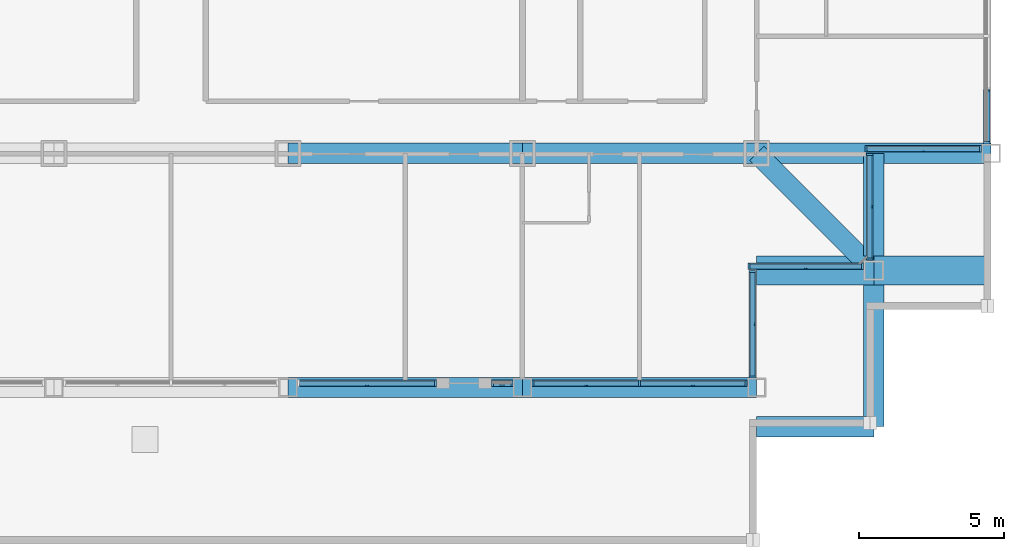
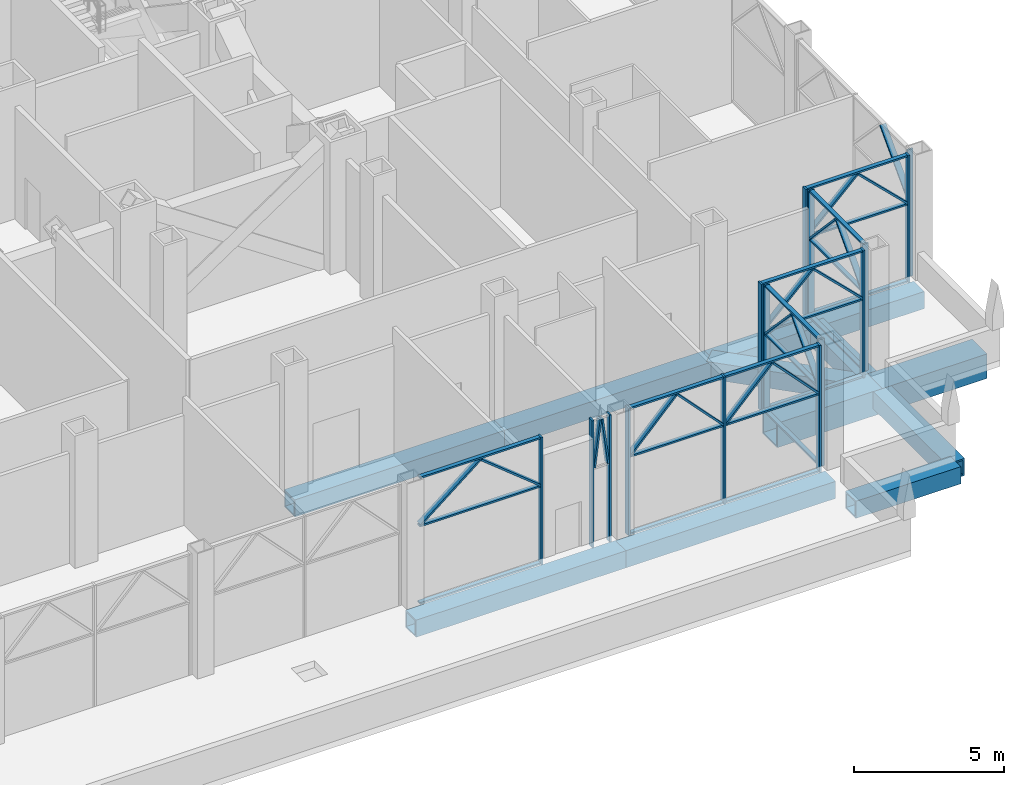
# One storey, part 4 of 26: 53 members, 11 beams, 8 elements without a shape of their own.
"""IFC4 building model written with IfcOpenShell, lengths in metres."""

from ifc_helpers import new_model, si_unit, direction, frame, origin, origin_2d, place, context, subcontext, project, spatial, rectangle, hollow_rectangle, extrude, material, material_profile, profile_set, type_object, element, aggregate, save


model = new_model("IFC4")

# Units and contexts
model_context = context("Model", 3, precision=1e-05, world=origin(), true_north=direction((0.0, 1.0)))
body_context = subcontext(model_context, "Body", "Model", "MODEL_VIEW")
ifc_project = project(units=[si_unit("LENGTHUNIT", "METRE"), si_unit("AREAUNIT", "SQUARE_METRE"), si_unit("VOLUMEUNIT", "CUBIC_METRE"), si_unit("PLANEANGLEUNIT", "RADIAN"), si_unit("MASSUNIT", "GRAM", prefix="KILO")], contexts=[model_context])

# Site, building, storey
site_placement = place(None, origin())
site = spatial("IfcSite", under=ifc_project, at=site_placement, CompositionType="ELEMENT")
building_placement = place(site_placement, origin())
building = spatial("IfcBuilding", under=site, at=building_placement, Name="Kopane Lantern Tower", CompositionType="ELEMENT")
storey_placement = place(building_placement, frame((0.0, 0.0, 98.0)))
storey = spatial("IfcBuildingStorey", under=building, at=storey_placement, Name="L24", CompositionType="ELEMENT", Elevation=98.0)

# Beams
ifc_material_1 = material(Name="Steel S355JR", Category="steel")
ifc_material_profile_1 = material_profile(ifc_material_1, hollow_rectangle(XDim=0.699951171875, YDim=0.699951171875, WallThickness=0.06005859375, at=origin_2d()), Name="BOX 700x700x60")
ifc_profile_set_1 = profile_set([ifc_material_profile_1], Name="Steel S355JR")
beam_type_1 = type_object("IfcBeamType", Name="CORNER TIE BEAM BOX 700x700x60", PredefinedType="BEAM", material=ifc_profile_set_1)
beam_1_placement = place(storey_placement, frame((52.29638671875, 9.8037109375, -0.60009765625), z_axis=(-0.707106781187, 0.707106781187, 0.0), x_axis=(-0.707106781187, -0.707106781187, 0.0)))
element("IfcBeam", 1, at=beam_1_placement, inside=storey, type_object=beam_type_1, Name="Corner Tie Beam L24", PredefinedType="BEAM", context=body_context, shape_type="SweptSolid", body=[
    extrude(hollow_rectangle(XDim=0.699951171875, YDim=0.699951171875, WallThickness=0.06005859375, at=origin_2d()), origin(), (0.0, 0.0, 1.0), 5.227294921875),
])
ifc_material_2 = material(Name="Steel S355JR", Category="steel")
ifc_material_profile_2 = material_profile(ifc_material_2, hollow_rectangle(XDim=0.699951171875, YDim=0.699951171875, WallThickness=0.06005859375, at=origin_2d()), Name="BOX 700x700x60")
ifc_profile_set_2 = profile_set([ifc_material_profile_2], Name="Steel S355JR")
beam_type_2 = type_object("IfcBeamType", Name="EDGE BEAM BOX 700x700x60", PredefinedType="BEAM", material=ifc_profile_set_2)
beam_2_placement = place(storey_placement, frame((52.64990234375, 4.050048828125, -0.60009765625), z_axis=(-1.0, 0.0, 0.0), x_axis=(0.0, -1.0, 0.0)))
element("IfcBeam", 2, at=beam_2_placement, inside=storey, type_object=beam_type_2, Name="Edge Beam L24", PredefinedType="BEAM", context=body_context, shape_type="SweptSolid", body=[
    extrude(hollow_rectangle(XDim=0.699951171875, YDim=0.699951171875, WallThickness=0.06005859375, at=origin_2d()), origin(), (0.0, 0.0, 1.0), 4.0498046875),
])
beam_3_placement = place(storey_placement, frame((52.64990234375, 9.949951171875, -0.60009765625), z_axis=(0.0, 1.0, 0.0), x_axis=(-1.0, 0.0, 0.0)))
element("IfcBeam", 3, at=beam_3_placement, inside=storey, type_object=beam_type_2, Name="Edge Beam L24", PredefinedType="BEAM", context=body_context, shape_type="SweptSolid", body=[
    extrude(hollow_rectangle(XDim=0.699951171875, YDim=0.699951171875, WallThickness=0.06005859375, at=origin_2d()), origin(), (0.0, 0.0, 1.0), 3.550048828125),
])
ifc_material_3 = material(Name="Steel S355JR", Category="steel")
ifc_material_profile_3 = material_profile(ifc_material_3, hollow_rectangle(XDim=0.699951171875, YDim=0.699951171875, WallThickness=0.06005859375, at=origin_2d()), Name="BOX 700x700x60")
ifc_profile_set_3 = profile_set([ifc_material_profile_3], Name="Steel S355JR")
beam_type_3 = type_object("IfcBeamType", Name="GIRDER BOX 700x700x60", PredefinedType="BEAM", material=ifc_profile_set_3)
for number, where, z_axis, x_axis, name in (
    (4, (32.39990234375, 5.39990234375, -0.60009765625), (1.0, 0.0, 0.0), (0.0, 1.0, 0.0), "Girder L24"),
    (5, (32.39990234375, 13.5, -0.60009765625), (1.0, 0.0, 0.0), (0.0, 1.0, 0.0), "Girder L24"),
    (6, (40.5, 5.39990234375, -0.60009765625), (1.0, 0.0, 0.0), (0.0, 1.0, 0.0), "Girder L24"),
    (7, (40.5, 13.5, -0.60009765625), (1.0, 0.0, 0.0), (0.0, 1.0, 0.0), "Girder L24"),
):
    element("IfcBeam", number, at=place(storey_placement, frame(where, z_axis=z_axis, x_axis=x_axis)), inside=storey, type_object=beam_type_3, Name=name, PredefinedType="BEAM", context=body_context, shape_type="SweptSolid", body=[
        extrude(hollow_rectangle(XDim=0.699951171875, YDim=0.699951171875, WallThickness=0.06005859375, at=origin_2d()), origin(), (0.0, 0.0, 1.0), 8.10009765625),
    ])
beam_4_placement = place(storey_placement, frame((48.60009765625, 13.5, -0.60009765625), z_axis=(1.0, 0.0, 0.0), x_axis=(0.0, 1.0, 0.0)))
element("IfcBeam", 8, at=beam_4_placement, inside=storey, type_object=beam_type_3, Name="Girder L24", PredefinedType="BEAM", context=body_context, shape_type="SweptSolid", body=[
    extrude(hollow_rectangle(XDim=0.699951171875, YDim=0.699951171875, WallThickness=0.06005859375, at=origin_2d()), origin(), (0.0, 0.0, 1.0), 8.099853515625),
])
beam_5_placement = place(storey_placement, frame((52.64990234375, 4.050048828125, -0.60009765625), z_axis=(0.0, 1.0, 0.0), x_axis=(-1.0, 0.0, 0.0)))
element("IfcBeam", 9, at=beam_5_placement, inside=storey, type_object=beam_type_3, Name="Girder L24", PredefinedType="BEAM", context=body_context, shape_type="SweptSolid", body=[
    extrude(hollow_rectangle(XDim=0.699951171875, YDim=0.699951171875, WallThickness=0.06005859375, at=origin_2d()), origin(), (0.0, 0.0, 1.0), 4.89990234375),
])

# Curtain wall, members
ifc_material_4 = material(Name="Aluminium and clear glass", Category="aluminium")
curtain_wall_type = type_object("IfcCurtainWallType", Name="CURTAIN WALL CW3 SKY LOBBY", PredefinedType="USERDEFINED", material=ifc_material_4)
curtain_wall_1_placement = place(storey_placement, origin())
curtain_wall_1 = element("IfcCurtainWall", 10, at=curtain_wall_1_placement, inside=storey, type_object=curtain_wall_type, Name="Curtain wall CW3 S L24", ObjectType="CURTAIN WALL", PredefinedType="USERDEFINED")
ifc_material_5 = material(Name="Aluminium", Category="aluminium")
ifc_material_profile_4 = material_profile(ifc_material_5, rectangle(XDim=0.070068359375, YDim=0.22509765625, at=origin_2d()), Name="AL 70x225")
ifc_profile_set_4 = profile_set([ifc_material_profile_4], Name="Aluminium")
member_type_1 = type_object("IfcMemberType", Name="MULLION CW3-M 70x225", PredefinedType="MULLION", material=ifc_profile_set_4)
member_1_placement = place(storey_placement, frame((37.489990234375, 5.550048828125, 0.0), z_axis=(0.0, 0.0, 1.0), x_axis=(1.0, 0.0, 0.0)))
member_1 = element("IfcMember", 11, at=member_1_placement, type_object=member_type_1, Name="CW3 mullion 2", PredefinedType="MULLION", context=body_context, shape_type="SweptSolid", body=[
    extrude(rectangle(XDim=0.070068359375, YDim=0.22509765625, at=origin_2d()), origin(), (0.0, 0.0, 1.0), 5.18994140625),
])
member_2_placement = place(storey_placement, frame((32.822021484375, 5.550048828125, 3.252197265625), z_axis=(0.778565225086, 0.0, 0.627563694207), x_axis=(-0.627563694207, 0.0, 0.778565225086)))
member_2 = element("IfcMember", 12, at=member_2_placement, type_object=member_type_1, Name="CW3 lancet mullion 1L", PredefinedType="MULLION", context=body_context, shape_type="SweptSolid", body=[
    extrude(rectangle(XDim=0.070068359375, YDim=0.22509765625, at=origin_2d()), origin(), (0.0, 0.0, 1.0), 2.932861328125),
])
member_3_placement = place(storey_placement, frame((37.43310546875, 5.550048828125, 3.252197265625), z_axis=(-0.778598005729, 0.0, 0.62752302386), x_axis=(0.62752302386, 0.0, 0.778598005729)))
member_3 = element("IfcMember", 13, at=member_3_placement, type_object=member_type_1, Name="CW3 lancet mullion 1R", PredefinedType="MULLION", context=body_context, shape_type="SweptSolid", body=[
    extrude(rectangle(XDim=0.070068359375, YDim=0.22509765625, at=origin_2d()), origin(), (0.0, 0.0, 1.0), 2.93310546875),
])

curtain_wall_2_placement = place(storey_placement, origin())
curtain_wall_2 = element("IfcCurtainWall", 14, at=curtain_wall_2_placement, inside=storey, type_object=curtain_wall_type, Name="Curtain wall CW3 S L24", ObjectType="CURTAIN WALL", PredefinedType="USERDEFINED")
member_4_placement = place(storey_placement, frame((39.4599609375, 5.550048828125, 0.0), z_axis=(0.0, 0.0, 1.0), x_axis=(1.0, 0.0, 0.0)))
member_4 = element("IfcMember", 15, at=member_4_placement, type_object=member_type_1, Name="CW3 mullion 1", PredefinedType="MULLION", context=body_context, shape_type="SweptSolid", body=[
    extrude(rectangle(XDim=0.070068359375, YDim=0.22509765625, at=origin_2d()), origin(), (0.0, 0.0, 1.0), 5.18994140625),
])
member_5_placement = place(storey_placement, frame((40.135009765625, 5.550048828125, 0.0), z_axis=(0.0, 0.0, 1.0), x_axis=(1.0, 0.0, 0.0)))
member_5 = element("IfcMember", 16, at=member_5_placement, type_object=member_type_1, Name="CW3 mullion 2", PredefinedType="MULLION", context=body_context, shape_type="SweptSolid", body=[
    extrude(rectangle(XDim=0.070068359375, YDim=0.22509765625, at=origin_2d()), origin(), (0.0, 0.0, 1.0), 5.18994140625),
])
member_6_placement = place(storey_placement, frame((39.52978515625, 5.550048828125, 3.229248046875), z_axis=(0.122532819549, 0.0, 0.9924644619), x_axis=(-0.9924644619, 0.0, 0.122532819549)))
member_6 = element("IfcMember", 17, at=member_6_placement, type_object=member_type_1, Name="CW3 lancet mullion 1L", PredefinedType="MULLION", context=body_context, shape_type="SweptSolid", body=[
    extrude(rectangle(XDim=0.070068359375, YDim=0.22509765625, at=origin_2d()), origin(), (0.0, 0.0, 1.0), 1.90087890625),
])
member_7_placement = place(storey_placement, frame((40.065185546875, 5.550048828125, 3.229248046875), z_axis=(-0.122532819549, 0.0, 0.9924644619), x_axis=(0.9924644619, 0.0, 0.122532819549)))
member_7 = element("IfcMember", 18, at=member_7_placement, type_object=member_type_1, Name="CW3 lancet mullion 1R", PredefinedType="MULLION", context=body_context, shape_type="SweptSolid", body=[
    extrude(rectangle(XDim=0.070068359375, YDim=0.22509765625, at=origin_2d()), origin(), (0.0, 0.0, 1.0), 1.90087890625),
])
aggregate(curtain_wall_2, [member_4, member_5, member_6, member_7])

curtain_wall_3_placement = place(storey_placement, origin())
curtain_wall_3 = element("IfcCurtainWall", 19, at=curtain_wall_3_placement, inside=storey, type_object=curtain_wall_type, Name="Curtain wall CW3 S L24", ObjectType="CURTAIN WALL", PredefinedType="USERDEFINED")
member_8_placement = place(storey_placement, frame((40.864990234375, 5.550048828125, 0.0), z_axis=(0.0, 0.0, 1.0), x_axis=(1.0, 0.0, 0.0)))
member_8 = element("IfcMember", 20, at=member_8_placement, type_object=member_type_1, Name="CW3 mullion 1", PredefinedType="MULLION", context=body_context, shape_type="SweptSolid", body=[
    extrude(rectangle(XDim=0.070068359375, YDim=0.22509765625, at=origin_2d()), origin(), (0.0, 0.0, 1.0), 5.18994140625),
])
member_9_placement = place(storey_placement, frame((44.550048828125, 5.550048828125, 0.0), z_axis=(0.0, 0.0, 1.0), x_axis=(1.0, 0.0, 0.0)))
member_9 = element("IfcMember", 21, at=member_9_placement, type_object=member_type_1, Name="CW3 mullion 2", PredefinedType="MULLION", context=body_context, shape_type="SweptSolid", body=[
    extrude(rectangle(XDim=0.070068359375, YDim=0.22509765625, at=origin_2d()), origin(), (0.0, 0.0, 1.0), 5.18994140625),
])
member_10_placement = place(storey_placement, frame((48.235107421875, 5.550048828125, 0.0), z_axis=(0.0, 0.0, 1.0), x_axis=(1.0, 0.0, 0.0)))
member_10 = element("IfcMember", 22, at=member_10_placement, type_object=member_type_1, Name="CW3 mullion 3", PredefinedType="MULLION", context=body_context, shape_type="SweptSolid", body=[
    extrude(rectangle(XDim=0.070068359375, YDim=0.22509765625, at=origin_2d()), origin(), (0.0, 0.0, 1.0), 5.18994140625),
])
member_11_placement = place(storey_placement, frame((40.92529296875, 5.550048828125, 3.2490234375), z_axis=(0.689214992379, 0.0, 0.724556895129), x_axis=(-0.724556895129, 0.0, 0.689214992379)))
member_11 = element("IfcMember", 23, at=member_11_placement, type_object=member_type_1, Name="CW3 lancet mullion 1L", PredefinedType="MULLION", context=body_context, shape_type="SweptSolid", body=[
    extrude(rectangle(XDim=0.070068359375, YDim=0.22509765625, at=origin_2d()), origin(), (0.0, 0.0, 1.0), 2.549072265625),
])
member_12_placement = place(storey_placement, frame((44.489501953125, 5.550048828125, 3.2490234375), z_axis=(-0.689164705863, 0.0, 0.724604725483), x_axis=(0.724604725483, 0.0, 0.689164705863)))
member_12 = element("IfcMember", 24, at=member_12_placement, type_object=member_type_1, Name="CW3 lancet mullion 1R", PredefinedType="MULLION", context=body_context, shape_type="SweptSolid", body=[
    extrude(rectangle(XDim=0.070068359375, YDim=0.22509765625, at=origin_2d()), origin(), (0.0, 0.0, 1.0), 2.548828125),
])
member_13_placement = place(storey_placement, frame((44.6103515625, 5.550048828125, 3.2490234375), z_axis=(0.689214992379, 0.0, 0.724556895129), x_axis=(-0.724556895129, 0.0, 0.689214992379)))
member_13 = element("IfcMember", 25, at=member_13_placement, type_object=member_type_1, Name="CW3 lancet mullion 2L", PredefinedType="MULLION", context=body_context, shape_type="SweptSolid", body=[
    extrude(rectangle(XDim=0.070068359375, YDim=0.22509765625, at=origin_2d()), origin(), (0.0, 0.0, 1.0), 2.549072265625),
])
member_14_placement = place(storey_placement, frame((48.174560546875, 5.550048828125, 3.2490234375), z_axis=(-0.689164705863, 0.0, 0.724604725483), x_axis=(0.724604725483, 0.0, 0.689164705863)))
member_14 = element("IfcMember", 26, at=member_14_placement, type_object=member_type_1, Name="CW3 lancet mullion 2R", PredefinedType="MULLION", context=body_context, shape_type="SweptSolid", body=[
    extrude(rectangle(XDim=0.070068359375, YDim=0.22509765625, at=origin_2d()), origin(), (0.0, 0.0, 1.0), 2.548828125),
])

curtain_wall_4_placement = place(storey_placement, origin())
curtain_wall_4 = element("IfcCurtainWall", 27, at=curtain_wall_4_placement, inside=storey, type_object=curtain_wall_type, Name="Curtain wall CW3 E L24", ObjectType="CURTAIN WALL", PredefinedType="USERDEFINED")
member_15_placement = place(storey_placement, frame((48.449951171875, 5.764892578125, 0.0), z_axis=(0.0, 0.0, 1.0), x_axis=(0.0, 1.0, 0.0)))
member_15 = element("IfcMember", 28, at=member_15_placement, type_object=member_type_1, Name="CW3 mullion 1", PredefinedType="MULLION", context=body_context, shape_type="SweptSolid", body=[
    extrude(rectangle(XDim=0.070068359375, YDim=0.22509765625, at=origin_2d()), origin(), (0.0, 0.0, 1.0), 5.18994140625),
])
member_16_placement = place(storey_placement, frame((48.449951171875, 9.4150390625, 0.0), z_axis=(0.0, 0.0, 1.0), x_axis=(0.0, 1.0, 0.0)))
member_16 = element("IfcMember", 29, at=member_16_placement, type_object=member_type_1, Name="CW3 mullion 2", PredefinedType="MULLION", context=body_context, shape_type="SweptSolid", body=[
    extrude(rectangle(XDim=0.070068359375, YDim=0.22509765625, at=origin_2d()), origin(), (0.0, 0.0, 1.0), 5.18994140625),
])
member_17_placement = place(storey_placement, frame((48.449951171875, 5.825439453125, 3.2490234375), z_axis=(0.0, 0.685517784981, 0.728055881423), x_axis=(0.0, -0.728055881423, 0.685517784981)))
member_17 = element("IfcMember", 30, at=member_17_placement, type_object=member_type_1, Name="CW3 lancet mullion 1L", PredefinedType="MULLION", context=body_context, shape_type="SweptSolid", body=[
    extrude(rectangle(XDim=0.070068359375, YDim=0.22509765625, at=origin_2d()), origin(), (0.0, 0.0, 1.0), 2.536865234375),
])
member_18_placement = place(storey_placement, frame((48.449951171875, 9.3544921875, 3.2490234375), z_axis=(0.0, -0.685517784981, 0.728055881423), x_axis=(0.0, 0.728055881423, 0.685517784981)))
member_18 = element("IfcMember", 31, at=member_18_placement, type_object=member_type_1, Name="CW3 lancet mullion 1R", PredefinedType="MULLION", context=body_context, shape_type="SweptSolid", body=[
    extrude(rectangle(XDim=0.070068359375, YDim=0.22509765625, at=origin_2d()), origin(), (0.0, 0.0, 1.0), 2.536865234375),
])

curtain_wall_5_placement = place(storey_placement, origin())
curtain_wall_5 = element("IfcCurtainWall", 32, at=curtain_wall_5_placement, inside=storey, type_object=curtain_wall_type, Name="Curtain wall CW3 S L24", ObjectType="CURTAIN WALL", PredefinedType="USERDEFINED")
member_19_placement = place(storey_placement, frame((48.3349609375, 9.60009765625, 0.0), z_axis=(0.0, 0.0, 1.0), x_axis=(1.0, 0.0, 0.0)))
member_19 = element("IfcMember", 33, at=member_19_placement, type_object=member_type_1, Name="CW3 mullion 1", PredefinedType="MULLION", context=body_context, shape_type="SweptSolid", body=[
    extrude(rectangle(XDim=0.070068359375, YDim=0.22509765625, at=origin_2d()), origin(), (0.0, 0.0, 1.0), 5.18994140625),
])
member_20_placement = place(storey_placement, frame((52.260009765625, 9.60009765625, 0.0), z_axis=(0.0, 0.0, 1.0), x_axis=(1.0, 0.0, 0.0)))
member_20 = element("IfcMember", 34, at=member_20_placement, type_object=member_type_1, Name="CW3 mullion 2", PredefinedType="MULLION", context=body_context, shape_type="SweptSolid", body=[
    extrude(rectangle(XDim=0.070068359375, YDim=0.22509765625, at=origin_2d()), origin(), (0.0, 0.0, 1.0), 5.18994140625),
])
member_21_placement = place(storey_placement, frame((48.39453125, 9.60009765625, 3.25), z_axis=(0.713429949389, 0.0, 0.700726556736), x_axis=(-0.700726556736, 0.0, 0.713429949389)))
member_21 = element("IfcMember", 35, at=member_21_placement, type_object=member_type_1, Name="CW3 lancet mullion 1L", PredefinedType="MULLION", context=body_context, shape_type="SweptSolid", body=[
    extrude(rectangle(XDim=0.070068359375, YDim=0.22509765625, at=origin_2d()), origin(), (0.0, 0.0, 1.0), 2.633056640625),
])
member_22_placement = place(storey_placement, frame((52.200439453125, 9.60009765625, 3.25), z_axis=(-0.713429949389, 0.0, 0.700726556736), x_axis=(0.700726556736, 0.0, 0.713429949389)))
member_22 = element("IfcMember", 36, at=member_22_placement, type_object=member_type_1, Name="CW3 lancet mullion 1R", PredefinedType="MULLION", context=body_context, shape_type="SweptSolid", body=[
    extrude(rectangle(XDim=0.070068359375, YDim=0.22509765625, at=origin_2d()), origin(), (0.0, 0.0, 1.0), 2.633056640625),
])

curtain_wall_6_placement = place(storey_placement, origin())
curtain_wall_6 = element("IfcCurtainWall", 37, at=curtain_wall_6_placement, inside=storey, type_object=curtain_wall_type, Name="Curtain wall CW3 E L24", ObjectType="CURTAIN WALL", PredefinedType="USERDEFINED")
member_23_placement = place(storey_placement, frame((52.5, 9.840087890625, 0.0), z_axis=(0.0, 0.0, 1.0), x_axis=(0.0, 1.0, 0.0)))
member_23 = element("IfcMember", 38, at=member_23_placement, type_object=member_type_1, Name="CW3 mullion 1", PredefinedType="MULLION", context=body_context, shape_type="SweptSolid", body=[
    extrude(rectangle(XDim=0.070068359375, YDim=0.22509765625, at=origin_2d()), origin(), (0.0, 0.0, 1.0), 5.18994140625),
])
member_24_placement = place(storey_placement, frame((52.5, 13.465087890625, 0.0), z_axis=(0.0, 0.0, 1.0), x_axis=(0.0, 1.0, 0.0)))
member_24 = element("IfcMember", 39, at=member_24_placement, type_object=member_type_1, Name="CW3 mullion 2", PredefinedType="MULLION", context=body_context, shape_type="SweptSolid", body=[
    extrude(rectangle(XDim=0.070068359375, YDim=0.22509765625, at=origin_2d()), origin(), (0.0, 0.0, 1.0), 5.18994140625),
])
member_25_placement = place(storey_placement, frame((52.5, 9.900634765625, 3.248779296875), z_axis=(0.0, 0.682755043512, 0.73064735034), x_axis=(0.0, -0.73064735034, 0.682755043512)))
member_25 = element("IfcMember", 40, at=member_25_placement, type_object=member_type_1, Name="CW3 lancet mullion 1L", PredefinedType="MULLION", context=body_context, shape_type="SweptSolid", body=[
    extrude(rectangle(XDim=0.070068359375, YDim=0.22509765625, at=origin_2d()), origin(), (0.0, 0.0, 1.0), 2.528564453125),
])
member_26_placement = place(storey_placement, frame((52.5, 13.404296875, 3.248779296875), z_axis=(0.0, -0.682755043512, 0.73064735034), x_axis=(0.0, 0.73064735034, 0.682755043512)))
member_26 = element("IfcMember", 41, at=member_26_placement, type_object=member_type_1, Name="CW3 lancet mullion 1R", PredefinedType="MULLION", context=body_context, shape_type="SweptSolid", body=[
    extrude(rectangle(XDim=0.070068359375, YDim=0.22509765625, at=origin_2d()), origin(), (0.0, 0.0, 1.0), 2.528564453125),
])

curtain_wall_7_placement = place(storey_placement, origin())
curtain_wall_7 = element("IfcCurtainWall", 42, at=curtain_wall_7_placement, inside=storey, type_object=curtain_wall_type, Name="Curtain wall CW3 S L24", ObjectType="CURTAIN WALL", PredefinedType="USERDEFINED")
member_27_placement = place(storey_placement, frame((52.385009765625, 13.64990234375, 0.0), z_axis=(0.0, 0.0, 1.0), x_axis=(1.0, 0.0, 0.0)))
member_27 = element("IfcMember", 43, at=member_27_placement, type_object=member_type_1, Name="CW3 mullion 1", PredefinedType="MULLION", context=body_context, shape_type="SweptSolid", body=[
    extrude(rectangle(XDim=0.070068359375, YDim=0.22509765625, at=origin_2d()), origin(), (0.0, 0.0, 1.0), 5.18994140625),
])
member_28_placement = place(storey_placement, frame((56.3349609375, 13.64990234375, 0.0), z_axis=(0.0, 0.0, 1.0), x_axis=(1.0, 0.0, 0.0)))
member_28 = element("IfcMember", 44, at=member_28_placement, type_object=member_type_1, Name="CW3 mullion 2", PredefinedType="MULLION", context=body_context, shape_type="SweptSolid", body=[
    extrude(rectangle(XDim=0.070068359375, YDim=0.22509765625, at=origin_2d()), origin(), (0.0, 0.0, 1.0), 5.18994140625),
])
member_29_placement = place(storey_placement, frame((52.4443359375, 13.64990234375, 3.25), z_axis=(0.715830386059, 0.0, 0.698274200006), x_axis=(-0.698274200006, 0.0, 0.715830386059)))
member_29 = element("IfcMember", 45, at=member_29_placement, type_object=member_type_1, Name="CW3 lancet mullion 1L", PredefinedType="MULLION", context=body_context, shape_type="SweptSolid", body=[
    extrude(rectangle(XDim=0.070068359375, YDim=0.22509765625, at=origin_2d()), origin(), (0.0, 0.0, 1.0), 2.64208984375),
])
member_30_placement = place(storey_placement, frame((56.275634765625, 13.64990234375, 3.25), z_axis=(-0.715785328086, 0.0, 0.698320387857), x_axis=(0.698320387857, 0.0, 0.715785328086)))
member_30 = element("IfcMember", 46, at=member_30_placement, type_object=member_type_1, Name="CW3 lancet mullion 1R", PredefinedType="MULLION", context=body_context, shape_type="SweptSolid", body=[
    extrude(rectangle(XDim=0.070068359375, YDim=0.22509765625, at=origin_2d()), origin(), (0.0, 0.0, 1.0), 2.64208984375),
])

curtain_wall_8_placement = place(storey_placement, origin())
curtain_wall_8 = element("IfcCurtainWall", 47, at=curtain_wall_8_placement, inside=storey, type_object=curtain_wall_type, Name="Curtain wall CW3 E L24", ObjectType="CURTAIN WALL", PredefinedType="USERDEFINED")
member_31_placement = place(storey_placement, frame((56.550048828125, 13.864990234375, 0.0), z_axis=(0.0, 0.0, 1.0), x_axis=(0.0, 1.0, 0.0)))
member_31 = element("IfcMember", 48, at=member_31_placement, type_object=member_type_1, Name="CW3 mullion 1", PredefinedType="MULLION", context=body_context, shape_type="SweptSolid", body=[
    extrude(rectangle(XDim=0.070068359375, YDim=0.22509765625, at=origin_2d()), origin(), (0.0, 0.0, 1.0), 5.18994140625),
])
member_32_placement = place(storey_placement, frame((56.550048828125, 13.92529296875, 3.2490234375), z_axis=(0.0, 0.689214992379, 0.724556895129), x_axis=(0.0, -0.724556895129, 0.689214992379)))
member_32 = element("IfcMember", 49, at=member_32_placement, type_object=member_type_1, Name="CW3 lancet mullion 1L", PredefinedType="MULLION", context=body_context, shape_type="SweptSolid", body=[
    extrude(rectangle(XDim=0.070068359375, YDim=0.22509765625, at=origin_2d()), origin(), (0.0, 0.0, 1.0), 2.549072265625),
])
aggregate(curtain_wall_8, [member_31, member_32])

# Beams
ifc_material_6 = material(Name="Steel S355JR", Category="steel")
ifc_material_profile_5 = material_profile(ifc_material_6, hollow_rectangle(XDim=1.0, YDim=1.0, WallThickness=0.06005859375, at=origin_2d()), Name="BOX 1000x1000x60")
ifc_profile_set_5 = profile_set([ifc_material_profile_5], Name="Steel S355JR")
beam_type_4 = type_object("IfcBeamType", Name="TRANSFER BEAM BOX 1000x1000x60", PredefinedType="BEAM", material=ifc_profile_set_5)
beam_6_placement = place(storey_placement, frame((48.60009765625, 9.449951171875, -0.75), z_axis=(1.0, 0.0, 0.0), x_axis=(0.0, 1.0, 0.0)))
element("IfcBeam", 50, at=beam_6_placement, inside=storey, type_object=beam_type_4, Name="Transfer Beam L24", PredefinedType="BEAM", context=body_context, shape_type="SweptSolid", body=[
    extrude(hollow_rectangle(XDim=1.0, YDim=1.0, WallThickness=0.06005859375, at=origin_2d()), origin(), (0.0, 0.0, 1.0), 4.0498046875),
])
beam_7_placement = place(storey_placement, frame((52.64990234375, 9.449951171875, -0.75), z_axis=(1.0, 0.0, 0.0), x_axis=(0.0, 1.0, 0.0)))
element("IfcBeam", 51, at=beam_7_placement, inside=storey, type_object=beam_type_4, Name="Transfer Beam L24", PredefinedType="BEAM", context=body_context, shape_type="SweptSolid", body=[
    extrude(hollow_rectangle(XDim=1.0, YDim=1.0, WallThickness=0.06005859375, at=origin_2d()), origin(), (0.0, 0.0, 1.0), 4.050048828125),
])

# Member
ifc_material_7 = material(Name="Aluminium", Category="aluminium")
ifc_material_profile_6 = material_profile(ifc_material_7, rectangle(XDim=0.159912109375, YDim=0.070068359375, at=origin_2d()), Name="AL 160x70")
ifc_profile_set_6 = profile_set([ifc_material_profile_6], Name="Aluminium")
member_type_2 = type_object("IfcMemberType", Name="TRANSOM CW3-T 70x160", PredefinedType="USERDEFINED", material=ifc_profile_set_6)
member_33_placement = place(storey_placement, frame((32.800048828125, 5.550048828125, 0.034912109375), z_axis=(1.0, 0.0, 0.0), x_axis=(0.0, 1.0, 0.0)))
member_33 = element("IfcMember", 52, at=member_33_placement, type_object=member_type_2, Name="CW3 transom 1.1", ObjectType="TRANSOM", PredefinedType="USERDEFINED", context=body_context, shape_type="SweptSolid", body=[
    extrude(rectangle(XDim=0.159912109375, YDim=0.070068359375, at=origin_2d()), origin(), (0.0, 0.0, 1.0), 4.655029296875),
])

member_34_placement = place(storey_placement, frame((32.800048828125, 5.550048828125, 3.18994140625), z_axis=(1.0, 0.0, 0.0), x_axis=(0.0, 1.0, 0.0)))
member_34 = element("IfcMember", 53, at=member_34_placement, type_object=member_type_2, Name="CW3 transom 1.2", ObjectType="TRANSOM", PredefinedType="USERDEFINED", context=body_context, shape_type="SweptSolid", body=[
    extrude(rectangle(XDim=0.159912109375, YDim=0.070068359375, at=origin_2d()), origin(), (0.0, 0.0, 1.0), 4.655029296875),
])

member_35_placement = place(storey_placement, frame((32.800048828125, 5.550048828125, 5.155029296875), z_axis=(1.0, 0.0, 0.0), x_axis=(0.0, 1.0, 0.0)))
member_35 = element("IfcMember", 54, at=member_35_placement, type_object=member_type_2, Name="CW3 transom 1.3", ObjectType="TRANSOM", PredefinedType="USERDEFINED", context=body_context, shape_type="SweptSolid", body=[
    extrude(rectangle(XDim=0.159912109375, YDim=0.070068359375, at=origin_2d()), origin(), (0.0, 0.0, 1.0), 4.655029296875),
])

aggregate(curtain_wall_1, [member_1, member_33, member_34, member_35, member_2, member_3])

member_36_placement = place(storey_placement, frame((40.89990234375, 5.550048828125, 0.034912109375), z_axis=(1.0, 0.0, 0.0), x_axis=(0.0, 1.0, 0.0)))
member_36 = element("IfcMember", 55, at=member_36_placement, type_object=member_type_2, Name="CW3 transom 1.1", ObjectType="TRANSOM", PredefinedType="USERDEFINED", context=body_context, shape_type="SweptSolid", body=[
    extrude(rectangle(XDim=0.159912109375, YDim=0.070068359375, at=origin_2d()), origin(), (0.0, 0.0, 1.0), 3.614990234375),
])

member_37_placement = place(storey_placement, frame((40.89990234375, 5.550048828125, 3.18994140625), z_axis=(1.0, 0.0, 0.0), x_axis=(0.0, 1.0, 0.0)))
member_37 = element("IfcMember", 56, at=member_37_placement, type_object=member_type_2, Name="CW3 transom 1.2", ObjectType="TRANSOM", PredefinedType="USERDEFINED", context=body_context, shape_type="SweptSolid", body=[
    extrude(rectangle(XDim=0.159912109375, YDim=0.070068359375, at=origin_2d()), origin(), (0.0, 0.0, 1.0), 3.614990234375),
])

member_38_placement = place(storey_placement, frame((40.89990234375, 5.550048828125, 5.155029296875), z_axis=(1.0, 0.0, 0.0), x_axis=(0.0, 1.0, 0.0)))
member_38 = element("IfcMember", 57, at=member_38_placement, type_object=member_type_2, Name="CW3 transom 1.3", ObjectType="TRANSOM", PredefinedType="USERDEFINED", context=body_context, shape_type="SweptSolid", body=[
    extrude(rectangle(XDim=0.159912109375, YDim=0.070068359375, at=origin_2d()), origin(), (0.0, 0.0, 1.0), 3.614990234375),
])

member_39_placement = place(storey_placement, frame((44.5849609375, 5.550048828125, 0.034912109375), z_axis=(1.0, 0.0, 0.0), x_axis=(0.0, 1.0, 0.0)))
member_39 = element("IfcMember", 58, at=member_39_placement, type_object=member_type_2, Name="CW3 transom 2.1", ObjectType="TRANSOM", PredefinedType="USERDEFINED", context=body_context, shape_type="SweptSolid", body=[
    extrude(rectangle(XDim=0.159912109375, YDim=0.070068359375, at=origin_2d()), origin(), (0.0, 0.0, 1.0), 3.614990234375),
])

member_40_placement = place(storey_placement, frame((44.5849609375, 5.550048828125, 3.18994140625), z_axis=(1.0, 0.0, 0.0), x_axis=(0.0, 1.0, 0.0)))
member_40 = element("IfcMember", 59, at=member_40_placement, type_object=member_type_2, Name="CW3 transom 2.2", ObjectType="TRANSOM", PredefinedType="USERDEFINED", context=body_context, shape_type="SweptSolid", body=[
    extrude(rectangle(XDim=0.159912109375, YDim=0.070068359375, at=origin_2d()), origin(), (0.0, 0.0, 1.0), 3.614990234375),
])

member_41_placement = place(storey_placement, frame((44.5849609375, 5.550048828125, 5.155029296875), z_axis=(1.0, 0.0, 0.0), x_axis=(0.0, 1.0, 0.0)))
member_41 = element("IfcMember", 60, at=member_41_placement, type_object=member_type_2, Name="CW3 transom 2.3", ObjectType="TRANSOM", PredefinedType="USERDEFINED", context=body_context, shape_type="SweptSolid", body=[
    extrude(rectangle(XDim=0.159912109375, YDim=0.070068359375, at=origin_2d()), origin(), (0.0, 0.0, 1.0), 3.614990234375),
])

aggregate(curtain_wall_3, [member_8, member_9, member_10, member_36, member_37, member_38, member_39, member_40, member_41, member_11, member_12, member_13, member_14])

member_42_placement = place(storey_placement, frame((48.449951171875, 5.800048828125, 0.034912109375), z_axis=(0.0, 1.0, 0.0), x_axis=(-1.0, 0.0, 0.0)))
member_42 = element("IfcMember", 61, at=member_42_placement, type_object=member_type_2, Name="CW3 transom 1.1", ObjectType="TRANSOM", PredefinedType="USERDEFINED", context=body_context, shape_type="SweptSolid", body=[
    extrude(rectangle(XDim=0.159912109375, YDim=0.070068359375, at=origin_2d()), origin(), (0.0, 0.0, 1.0), 3.579833984375),
])

member_43_placement = place(storey_placement, frame((48.449951171875, 5.800048828125, 3.18994140625), z_axis=(0.0, 1.0, 0.0), x_axis=(-1.0, 0.0, 0.0)))
member_43 = element("IfcMember", 62, at=member_43_placement, type_object=member_type_2, Name="CW3 transom 1.2", ObjectType="TRANSOM", PredefinedType="USERDEFINED", context=body_context, shape_type="SweptSolid", body=[
    extrude(rectangle(XDim=0.159912109375, YDim=0.070068359375, at=origin_2d()), origin(), (0.0, 0.0, 1.0), 3.579833984375),
])

member_44_placement = place(storey_placement, frame((48.449951171875, 5.800048828125, 5.155029296875), z_axis=(0.0, 1.0, 0.0), x_axis=(-1.0, 0.0, 0.0)))
member_44 = element("IfcMember", 63, at=member_44_placement, type_object=member_type_2, Name="CW3 transom 1.3", ObjectType="TRANSOM", PredefinedType="USERDEFINED", context=body_context, shape_type="SweptSolid", body=[
    extrude(rectangle(XDim=0.159912109375, YDim=0.070068359375, at=origin_2d()), origin(), (0.0, 0.0, 1.0), 3.579833984375),
])

aggregate(curtain_wall_4, [member_15, member_16, member_42, member_43, member_44, member_17, member_18])

member_45_placement = place(storey_placement, frame((48.3701171875, 9.60009765625, 0.034912109375), z_axis=(1.0, 0.0, 0.0), x_axis=(0.0, 1.0, 0.0)))
member_45 = element("IfcMember", 64, at=member_45_placement, type_object=member_type_2, Name="CW3 transom 1.1", ObjectType="TRANSOM", PredefinedType="USERDEFINED", context=body_context, shape_type="SweptSolid", body=[
    extrude(rectangle(XDim=0.159912109375, YDim=0.070068359375, at=origin_2d()), origin(), (0.0, 0.0, 1.0), 3.85498046875),
])

member_46_placement = place(storey_placement, frame((48.3701171875, 9.60009765625, 3.18994140625), z_axis=(1.0, 0.0, 0.0), x_axis=(0.0, 1.0, 0.0)))
member_46 = element("IfcMember", 65, at=member_46_placement, type_object=member_type_2, Name="CW3 transom 1.2", ObjectType="TRANSOM", PredefinedType="USERDEFINED", context=body_context, shape_type="SweptSolid", body=[
    extrude(rectangle(XDim=0.159912109375, YDim=0.070068359375, at=origin_2d()), origin(), (0.0, 0.0, 1.0), 3.85498046875),
])

member_47_placement = place(storey_placement, frame((48.3701171875, 9.60009765625, 5.155029296875), z_axis=(1.0, 0.0, 0.0), x_axis=(0.0, 1.0, 0.0)))
member_47 = element("IfcMember", 66, at=member_47_placement, type_object=member_type_2, Name="CW3 transom 1.3", ObjectType="TRANSOM", PredefinedType="USERDEFINED", context=body_context, shape_type="SweptSolid", body=[
    extrude(rectangle(XDim=0.159912109375, YDim=0.070068359375, at=origin_2d()), origin(), (0.0, 0.0, 1.0), 3.85498046875),
])

aggregate(curtain_wall_5, [member_19, member_20, member_45, member_46, member_47, member_21, member_22])

member_48_placement = place(storey_placement, frame((52.5, 9.875, 0.034912109375), z_axis=(0.0, 1.0, 0.0), x_axis=(-1.0, 0.0, 0.0)))
member_48 = element("IfcMember", 67, at=member_48_placement, type_object=member_type_2, Name="CW3 transom 1.1", ObjectType="TRANSOM", PredefinedType="USERDEFINED", context=body_context, shape_type="SweptSolid", body=[
    extrude(rectangle(XDim=0.159912109375, YDim=0.070068359375, at=origin_2d()), origin(), (0.0, 0.0, 1.0), 3.554931640625),
])

member_49_placement = place(storey_placement, frame((52.5, 9.875, 3.18994140625), z_axis=(0.0, 1.0, 0.0), x_axis=(-1.0, 0.0, 0.0)))
member_49 = element("IfcMember", 68, at=member_49_placement, type_object=member_type_2, Name="CW3 transom 1.2", ObjectType="TRANSOM", PredefinedType="USERDEFINED", context=body_context, shape_type="SweptSolid", body=[
    extrude(rectangle(XDim=0.159912109375, YDim=0.070068359375, at=origin_2d()), origin(), (0.0, 0.0, 1.0), 3.554931640625),
])

member_50_placement = place(storey_placement, frame((52.5, 9.875, 5.155029296875), z_axis=(0.0, 1.0, 0.0), x_axis=(-1.0, 0.0, 0.0)))
member_50 = element("IfcMember", 69, at=member_50_placement, type_object=member_type_2, Name="CW3 transom 1.3", ObjectType="TRANSOM", PredefinedType="USERDEFINED", context=body_context, shape_type="SweptSolid", body=[
    extrude(rectangle(XDim=0.159912109375, YDim=0.070068359375, at=origin_2d()), origin(), (0.0, 0.0, 1.0), 3.554931640625),
])

aggregate(curtain_wall_6, [member_23, member_24, member_48, member_49, member_50, member_25, member_26])

member_51_placement = place(storey_placement, frame((52.419921875, 13.64990234375, 0.034912109375), z_axis=(1.0, 0.0, 0.0), x_axis=(0.0, 1.0, 0.0)))
member_51 = element("IfcMember", 70, at=member_51_placement, type_object=member_type_2, Name="CW3 transom 1.1", ObjectType="TRANSOM", PredefinedType="USERDEFINED", context=body_context, shape_type="SweptSolid", body=[
    extrude(rectangle(XDim=0.159912109375, YDim=0.070068359375, at=origin_2d()), origin(), (0.0, 0.0, 1.0), 3.880126953125),
])

member_52_placement = place(storey_placement, frame((52.419921875, 13.64990234375, 3.18994140625), z_axis=(1.0, 0.0, 0.0), x_axis=(0.0, 1.0, 0.0)))
member_52 = element("IfcMember", 71, at=member_52_placement, type_object=member_type_2, Name="CW3 transom 1.2", ObjectType="TRANSOM", PredefinedType="USERDEFINED", context=body_context, shape_type="SweptSolid", body=[
    extrude(rectangle(XDim=0.159912109375, YDim=0.070068359375, at=origin_2d()), origin(), (0.0, 0.0, 1.0), 3.880126953125),
])

member_53_placement = place(storey_placement, frame((52.419921875, 13.64990234375, 5.155029296875), z_axis=(1.0, 0.0, 0.0), x_axis=(0.0, 1.0, 0.0)))
member_53 = element("IfcMember", 72, at=member_53_placement, type_object=member_type_2, Name="CW3 transom 1.3", ObjectType="TRANSOM", PredefinedType="USERDEFINED", context=body_context, shape_type="SweptSolid", body=[
    extrude(rectangle(XDim=0.159912109375, YDim=0.070068359375, at=origin_2d()), origin(), (0.0, 0.0, 1.0), 3.880126953125),
])

aggregate(curtain_wall_7, [member_27, member_28, member_51, member_52, member_53, member_29, member_30])

save(model, "model.ifc")
